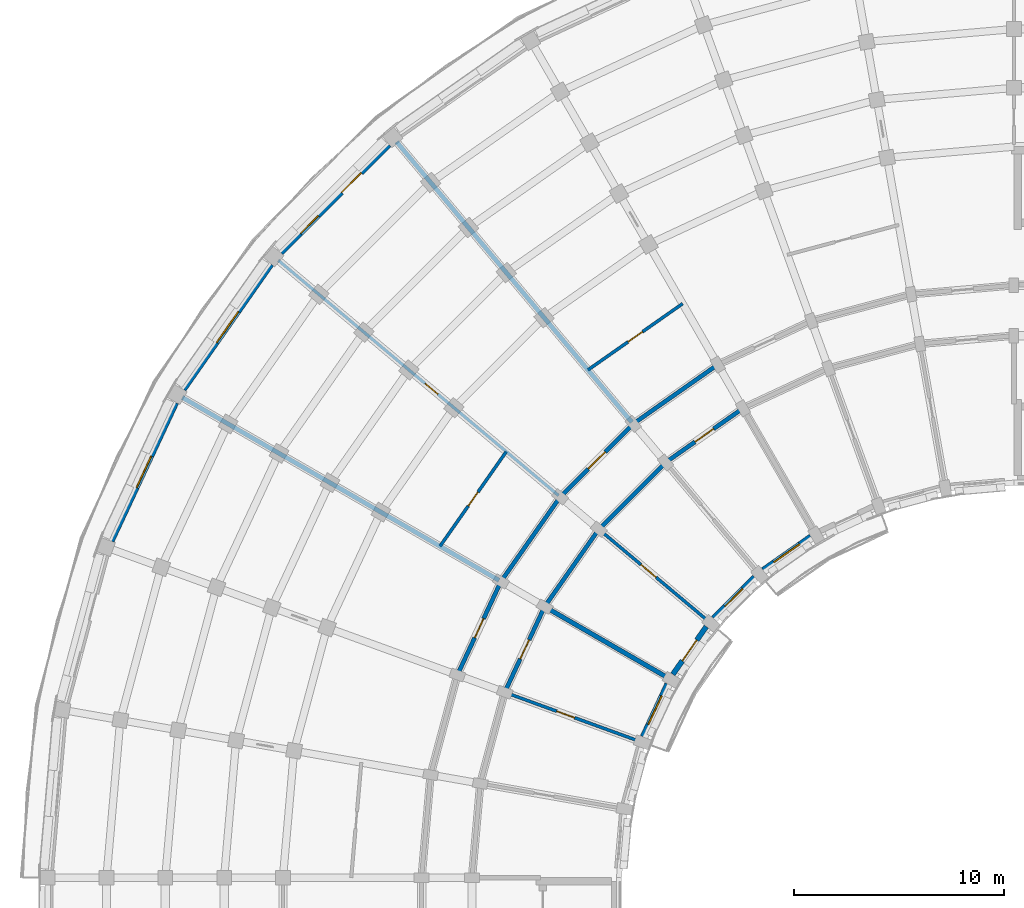
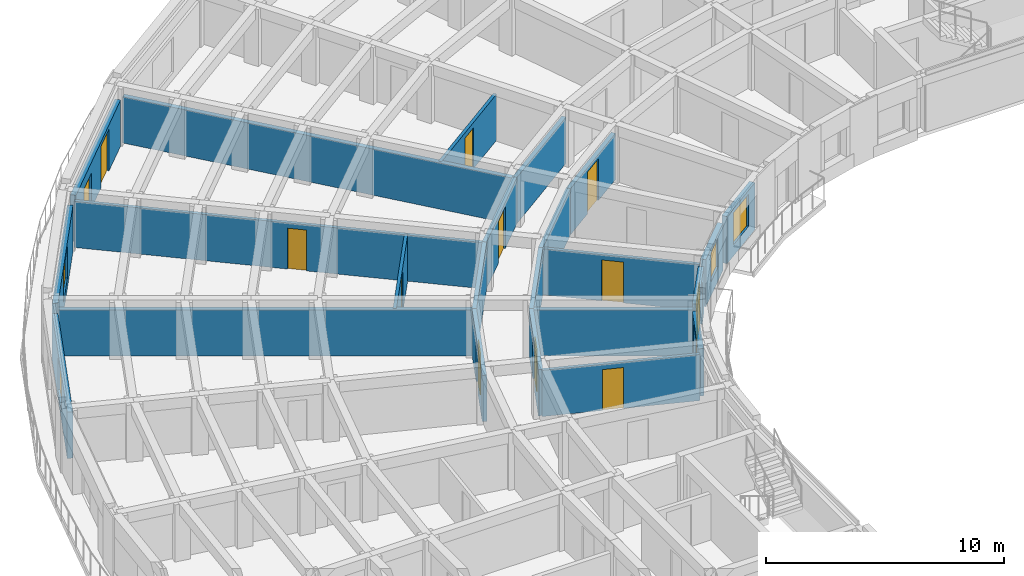
# One storey, part 26 of 57: 23 walls, 11 doors, 6 windows, 17 openings.
"""IFC4 building model written with IfcOpenShell, lengths in metres."""

from ifc_helpers import new_model, si_unit, direction, frame, frame_2d, origin, place, context, subcontext, project, spatial, rectangle, extrude, material, layer, layer_set, type_object, element, fill, save


model = new_model("IFC4")

# Units and contexts
model_context = context("Model", 3, precision=1e-05, world=origin(), true_north=direction((0.0, 1.0)))
body_context = subcontext(model_context, "Body", "Model", "MODEL_VIEW")
ifc_project = project(units=[si_unit("LENGTHUNIT", "METRE"), si_unit("AREAUNIT", "SQUARE_METRE"), si_unit("VOLUMEUNIT", "CUBIC_METRE"), si_unit("PLANEANGLEUNIT", "RADIAN"), si_unit("MASSUNIT", "GRAM", prefix="KILO")], contexts=[model_context])

# Site, building, storey
site_placement = place(None, origin())
site = spatial("IfcSite", under=ifc_project, at=site_placement, CompositionType="ELEMENT")
building_placement = place(site_placement, origin())
building = spatial("IfcBuilding", under=site, at=building_placement, Name="Kiranvali Square Residences", CompositionType="ELEMENT")
storey_placement = place(building_placement, frame((0.0, 0.0, 24.449951171875)))
storey = spatial("IfcBuildingStorey", under=building, at=storey_placement, Name="L07", CompositionType="ELEMENT", Elevation=24.449951171875)

# Wall, opening, door
ifc_material_1 = material(Name="Autoclaved aerated concrete blockwork masonry", Category="masonry")
ifc_layer_1 = layer(ifc_material_1, 0.199951171875)
ifc_layer_set_1 = layer_set([ifc_layer_1], Name="Autoclaved aerated concrete blockwork masonry")
wall_type_1 = type_object("IfcWallType", Name="WL-COR-200", PredefinedType="STANDARD", material=ifc_layer_set_1)
wall_1_placement = place(storey_placement, frame((35.300048828125, 110.1435546875, 0.0), z_axis=(0.0, 0.0, 1.0), x_axis=(-0.819155404658, -0.573571637217, 0.0)))
wall_1 = element("IfcWall", 1, at=wall_1_placement, inside=storey, type_object=wall_type_1, Name="L07 architectural wall WL-L07-A-CCI-3", PredefinedType="STANDARD", context=body_context, shape_type="SweptSolid", body=[
    extrude(rectangle(XDim=4.497314453125, YDim=0.199951171875, at=frame_2d((2.24853515625, 0.0))), origin(), (0.0, 0.0, 1.0), 2.3720703125),
])
opening_1_placement = place(wall_1_placement, frame((1.708740234375, 0.0, 0.0)))
opening_1 = element("IfcOpeningElement", 2, at=opening_1_placement, cuts=wall_1, Name="Opening FD-APT-60C", PredefinedType="OPENING", context=body_context, shape_type="SweptSolid", body=[
    extrude(rectangle(XDim=1.080078125, YDim=2.14990234375, at=frame_2d((0.5400390625, 1.074951171875))), frame((0.0, 0.10986328125, 0.0), z_axis=(0.0, -1.0, 0.0), x_axis=(1.0, 0.0, 0.0)), (0.0, 0.0, 1.0), 0.219970703125),
])
ifc_material_2 = material(Name="Fire-rated acoustic hardwood and mineral-core door assembly", Category="wood")
door_type_1 = type_object("IfcDoorType", Name="DR-APT-1080", OperationType="NOTDEFINED", PredefinedType="DOOR", material=ifc_material_2)
door_1_placement = place(opening_1_placement, origin())
door_1 = element("IfcDoor", 3, at=door_1_placement, inside=storey, type_object=door_type_1, Name="L07 door DR-L07-0499 (DR-APT-1080)", OperationType="SINGLE_SWING_LEFT", OverallHeight=2.14990234375, OverallWidth=1.080078125, PredefinedType="DOOR", context=body_context, shape_type="SweptSolid", body=[
    extrude(rectangle(XDim=1.080078125, YDim=2.14990234375, at=frame_2d((0.5400390625, 1.074951171875))), frame((0.0, 0.02490234375, 0.0), z_axis=(0.0, -1.0, 0.0), x_axis=(1.0, 0.0, 0.0)), (0.0, 0.0, 1.0), 0.050048828125),
])
fill(opening_1, door_1)

# Walls
wall_2_placement = place(storey_placement, frame((34.10009765625, 112.221923828125, 0.0), z_axis=(0.0, 0.0, 1.0), x_axis=(-0.819140911474, -0.573592335331, 0.0)))
element("IfcWall", 4, at=wall_2_placement, inside=storey, type_object=wall_type_1, Name="L07 architectural wall WL-L07-A-CCO-3", PredefinedType="STANDARD", context=body_context, shape_type="SweptSolid", body=[
    extrude(rectangle(XDim=4.915771484375, YDim=0.199951171875, at=frame_2d((2.4580078125, 0.0))), origin(), (0.0, 0.0, 1.0), 2.3720703125),
])
wall_3_placement = place(storey_placement, frame((31.615966796875, 107.56396484375, 0.0), z_axis=(0.0, 0.0, 1.0), x_axis=(-0.707106781187, -0.707106781187, 0.0)))
element("IfcWall", 5, at=wall_3_placement, inside=storey, type_object=wall_type_1, Name="L07 architectural wall WL-L07-A-CCI-4", PredefinedType="STANDARD", context=body_context, shape_type="SweptSolid", body=[
    extrude(rectangle(XDim=4.4970703125, YDim=0.199951171875, at=frame_2d((2.24853515625, 0.0))), origin(), (0.0, 0.0, 1.0), 2.3720703125),
])

# Wall, opening, door
wall_4_placement = place(storey_placement, frame((30.073486328125, 109.40234375, 0.0), z_axis=(0.0, 0.0, 1.0), x_axis=(-0.707106781187, -0.707106781187, 0.0)))
wall_4 = element("IfcWall", 6, at=wall_4_placement, inside=storey, type_object=wall_type_1, Name="L07 architectural wall WL-L07-A-CCO-4", PredefinedType="STANDARD", context=body_context, shape_type="SweptSolid", body=[
    extrude(rectangle(XDim=4.91552734375, YDim=0.199951171875, at=frame_2d((2.457763671875, 0.0))), origin(), (0.0, 0.0, 1.0), 2.3720703125),
])
opening_2_placement = place(wall_4_placement, frame((1.8876953125, 0.0, 0.0)))
opening_2 = element("IfcOpeningElement", 7, at=opening_2_placement, cuts=wall_4, Name="Opening FD-APT-60D", PredefinedType="OPENING", context=body_context, shape_type="SweptSolid", body=[
    extrude(rectangle(XDim=1.139892578125, YDim=2.14990234375, at=frame_2d((0.56982421875, 1.074951171875))), frame((0.0, 0.10986328125, 0.0), z_axis=(0.0, -1.0, 0.0), x_axis=(1.0, 0.0, 0.0)), (0.0, 0.0, 1.0), 0.219970703125),
])
door_type_2 = type_object("IfcDoorType", Name="DR-APT-1140", OperationType="NOTDEFINED", PredefinedType="DOOR", material=ifc_material_2)
door_2_placement = place(opening_2_placement, frame((1.139892578125, 0.0, 0.0), z_axis=(0.0, 0.0, 1.0), x_axis=(-1.0, 0.0, 0.0)))
door_2 = element("IfcDoor", 8, at=door_2_placement, inside=storey, type_object=door_type_2, Name="L07 door DR-L07-0494 (DR-APT-1140)", OperationType="SINGLE_SWING_RIGHT", OverallHeight=2.14990234375, OverallWidth=1.139892578125, PredefinedType="DOOR", context=body_context, shape_type="SweptSolid", body=[
    extrude(rectangle(XDim=1.139892578125, YDim=2.14990234375, at=frame_2d((0.56982421875, 1.074951171875))), frame((0.0, 0.02490234375, 0.0), z_axis=(0.0, -1.0, 0.0), x_axis=(1.0, 0.0, 0.0)), (0.0, 0.0, 1.0), 0.050048828125),
])
fill(opening_2, door_2)

# Walls
wall_5_placement = place(storey_placement, frame((28.43603515625, 104.384033203125, 0.0), z_axis=(0.0, 0.0, 1.0), x_axis=(-0.573571637217, -0.819155404658, 0.0)))
element("IfcWall", 9, at=wall_5_placement, inside=storey, type_object=wall_type_1, Name="L07 architectural wall WL-L07-A-CCI-5", PredefinedType="STANDARD", context=body_context, shape_type="SweptSolid", body=[
    extrude(rectangle(XDim=4.497314453125, YDim=0.199951171875, at=frame_2d((2.24853515625, 0.0))), origin(), (0.0, 0.0, 1.0), 2.3720703125),
])
wall_6_placement = place(storey_placement, frame((26.59765625, 105.926513671875, 0.0), z_axis=(0.0, 0.0, 1.0), x_axis=(-0.573592335331, -0.819140911474, 0.0)))
element("IfcWall", 10, at=wall_6_placement, inside=storey, type_object=wall_type_1, Name="L07 architectural wall WL-L07-A-CCO-5", PredefinedType="STANDARD", context=body_context, shape_type="SweptSolid", body=[
    extrude(rectangle(XDim=4.915771484375, YDim=0.199951171875, at=frame_2d((2.4580078125, 0.0))), origin(), (0.0, 0.0, 1.0), 2.3720703125),
])

# Wall, opening, door
wall_7_placement = place(storey_placement, frame((25.8564453125, 100.699951171875, 0.0), z_axis=(0.0, 0.0, 1.0), x_axis=(-0.422617978463, -0.906307919131, 0.0)))
wall_7 = element("IfcWall", 11, at=wall_7_placement, inside=storey, type_object=wall_type_1, Name="L07 architectural wall WL-L07-A-CCI-6", PredefinedType="STANDARD", context=body_context, shape_type="SweptSolid", body=[
    extrude(rectangle(XDim=4.497314453125, YDim=0.199951171875, at=frame_2d((2.24853515625, 0.0))), origin(), (0.0, 0.0, 1.0), 2.3720703125),
])
opening_3_placement = place(wall_7_placement, frame((1.74853515625, 0.0, 0.0)))
opening_3 = element("IfcOpeningElement", 12, at=opening_3_placement, cuts=wall_7, Name="Opening FD-APT-60", PredefinedType="OPENING", context=body_context, shape_type="SweptSolid", body=[
    extrude(rectangle(XDim=1.0, YDim=2.14990234375, at=frame_2d((0.5, 1.074951171875))), frame((0.0, 0.10986328125, 0.0), z_axis=(0.0, -1.0, 0.0), x_axis=(1.0, 0.0, 0.0)), (0.0, 0.0, 1.0), 0.219970703125),
])
door_type_3 = type_object("IfcDoorType", Name="DR-APT-1000", OperationType="NOTDEFINED", PredefinedType="DOOR", material=ifc_material_2)
door_3_placement = place(opening_3_placement, frame((1.0, 0.0, 0.0), z_axis=(0.0, 0.0, 1.0), x_axis=(-1.0, 0.0, 0.0)))
door_3 = element("IfcDoor", 13, at=door_3_placement, inside=storey, type_object=door_type_3, Name="L07 door DR-L07-0500 (DR-APT-1000)", OperationType="SINGLE_SWING_RIGHT", OverallHeight=2.14990234375, OverallWidth=1.0, PredefinedType="DOOR", context=body_context, shape_type="SweptSolid", body=[
    extrude(rectangle(XDim=1.0, YDim=2.14990234375, at=frame_2d((0.5, 1.074951171875))), frame((0.0, 0.02490234375, 0.0), z_axis=(0.0, -1.0, 0.0), x_axis=(1.0, 0.0, 0.0)), (0.0, 0.0, 1.0), 0.050048828125),
])
fill(opening_3, door_3)

wall_8_placement = place(storey_placement, frame((23.778076171875, 101.89990234375, 0.0), z_axis=(0.0, 0.0, 1.0), x_axis=(-0.422629854778, -0.906302381024, 0.0)))
wall_8 = element("IfcWall", 14, at=wall_8_placement, inside=storey, type_object=wall_type_1, Name="L07 architectural wall WL-L07-A-CCO-6", PredefinedType="STANDARD", context=body_context, shape_type="SweptSolid", body=[
    extrude(rectangle(XDim=4.915283203125, YDim=0.199951171875, at=frame_2d((2.45751953125, 0.0))), origin(), (0.0, 0.0, 1.0), 2.3720703125),
])
opening_4_placement = place(wall_8_placement, frame((1.957763671875, 0.0, 0.0)))
opening_4 = element("IfcOpeningElement", 15, at=opening_4_placement, cuts=wall_8, Name="Opening FD-APT-60", PredefinedType="OPENING", context=body_context, shape_type="SweptSolid", body=[
    extrude(rectangle(XDim=1.0, YDim=2.14990234375, at=frame_2d((0.5, 1.074951171875))), frame((0.0, 0.10986328125, 0.0), z_axis=(0.0, -1.0, 0.0), x_axis=(1.0, 0.0, 0.0)), (0.0, 0.0, 1.0), 0.219970703125),
])
door_4_placement = place(opening_4_placement, frame((1.0, 0.0, 0.0), z_axis=(0.0, 0.0, 1.0), x_axis=(-1.0, 0.0, 0.0)))
door_4 = element("IfcDoor", 16, at=door_4_placement, inside=storey, type_object=door_type_3, Name="L07 door DR-L07-0496 (DR-APT-1000)", OperationType="SINGLE_SWING_RIGHT", OverallHeight=2.14990234375, OverallWidth=1.0, PredefinedType="DOOR", context=body_context, shape_type="SweptSolid", body=[
    extrude(rectangle(XDim=1.0, YDim=2.14990234375, at=frame_2d((0.5, 1.074951171875))), frame((0.0, 0.02490234375, 0.0), z_axis=(0.0, -1.0, 0.0), x_axis=(1.0, 0.0, 0.0)), (0.0, 0.0, 1.0), 0.050048828125),
])
fill(opening_4, door_4)

# Walls
ifc_layer_2 = layer(ifc_material_1, 0.219970703125)
ifc_layer_set_2 = layer_set([ifc_layer_2], Name="Autoclaved aerated concrete blockwork masonry")
wall_type_2 = type_object("IfcWallType", Name="WL-DEM-220", PredefinedType="STANDARD", material=ifc_layer_set_2)
wall_9_placement = place(storey_placement, frame((30.009033203125, 109.47900390625, 0.0), z_axis=(0.0, 0.0, 1.0), x_axis=(-0.642784757967, 0.766046835987, 0.0)))
element("IfcWall", 17, at=wall_9_placement, inside=storey, type_object=wall_type_2, Name="L07 architectural wall WL-L07-A-RADO-4", PredefinedType="STANDARD", context=body_context, shape_type="SweptSolid", body=[
    extrude(rectangle(XDim=17.419921875, YDim=0.219970703125, at=frame_2d((8.7099609375, 0.0))), origin(), (0.0, 0.0, 1.0), 2.3720703125),
])
wall_10_placement = place(storey_placement, frame((31.74560546875, 97.300048828125, 0.0), z_axis=(0.0, 0.0, 1.0), x_axis=(-0.866026575979, 0.499997969693, 0.0)))
element("IfcWall", 18, at=wall_10_placement, inside=storey, type_object=wall_type_2, Name="L07 architectural wall WL-L07-A-RADI-6", PredefinedType="STANDARD", context=body_context, shape_type="SweptSolid", body=[
    extrude(rectangle(XDim=6.75, YDim=0.219970703125, at=frame_2d((3.375, 0.0))), origin(), (0.0, 0.0, 1.0), 2.3720703125),
])
wall_11_placement = place(storey_placement, frame((23.69140625, 101.949951171875, 0.0), z_axis=(0.0, 0.0, 1.0), x_axis=(-0.866026648973, 0.499997843263, 0.0)))
element("IfcWall", 19, at=wall_11_placement, inside=storey, type_object=wall_type_2, Name="L07 architectural wall WL-L07-A-RADO-6", PredefinedType="STANDARD", context=body_context, shape_type="SweptSolid", body=[
    extrude(rectangle(XDim=17.419921875, YDim=0.219970703125, at=frame_2d((8.7099609375, 0.0))), origin(), (0.0, 0.0, 1.0), 2.3720703125),
])

# Wall, openings, door, window
ifc_material_3 = material(Name="Breathable lime-rendered clay brick masonry", Category="masonry")
ifc_layer_3 = layer(ifc_material_3, 0.25)
ifc_layer_set_3 = layer_set([ifc_layer_3], Name="Breathable lime-rendered clay brick masonry")
wall_type_3 = type_object("IfcWallType", Name="WL-EXT-250", PredefinedType="STANDARD", material=ifc_layer_set_3)
wall_12_placement = place(storey_placement, frame((18.454345703125, 122.683837890625, 0.0), z_axis=(0.0, 0.0, 1.0), x_axis=(-0.707106781187, -0.707106781187, 0.0)))
wall_12 = element("IfcWall", 20, at=wall_12_placement, inside=storey, type_object=wall_type_3, Name="L07 exterior wall A-L07-CRV-04", PredefinedType="STANDARD", context=body_context, shape_type="SweptSolid", body=[
    extrude(rectangle(XDim=7.2666015625, YDim=0.25, at=frame_2d((3.63330078125, 0.0))), origin(), (0.0, 0.0, 1.0), 2.3720703125),
])
opening_5_placement = place(wall_12_placement, frame((4.765625, 0.0, 0.322021484375)))
opening_5 = element("IfcOpeningElement", 21, at=opening_5_placement, cuts=wall_12, Name="Opening W-06", PredefinedType="OPENING", context=body_context, shape_type="SweptSolid", body=[
    extrude(rectangle(XDim=1.199951171875, YDim=1.5, at=frame_2d((0.60009765625, 0.75))), frame((0.0, 0.135009765625, 0.0), z_axis=(0.0, -1.0, 0.0), x_axis=(1.0, 0.0, 0.0)), (0.0, 0.0, 1.0), 0.27001953125),
])
opening_6_placement = place(wall_12_placement, frame((1.88330078125, 0.0, 0.0)))
opening_6 = element("IfcOpeningElement", 22, at=opening_6_placement, cuts=wall_12, Name="Opening ED-BAL-3", PredefinedType="OPENING", context=body_context, shape_type="SweptSolid", body=[
    extrude(rectangle(XDim=1.320068359375, YDim=2.14990234375, at=frame_2d((0.66015625, 1.074951171875))), frame((0.0, 0.135009765625, 0.0), z_axis=(0.0, -1.0, 0.0), x_axis=(1.0, 0.0, 0.0)), (0.0, 0.0, 1.0), 0.27001953125),
])
ifc_material_4 = material(Name="Anodised bronze aluminium framing", Category="aluminium")
door_type_4 = type_object("IfcDoorType", Name="DR-BAL-1320", OperationType="NOTDEFINED", PredefinedType="DOOR", material=ifc_material_4)
door_5_placement = place(opening_6_placement, frame((1.320068359375, 0.0, 0.0), z_axis=(0.0, 0.0, 1.0), x_axis=(-1.0, 0.0, 0.0)))
door_5 = element("IfcDoor", 23, at=door_5_placement, inside=storey, type_object=door_type_4, Name="L07 balcony terrace door", OperationType="SINGLE_SWING_LEFT", OverallHeight=2.14990234375, OverallWidth=1.320068359375, PredefinedType="DOOR", context=body_context, shape_type="SweptSolid", body=[
    extrude(rectangle(XDim=1.320068359375, YDim=2.14990234375, at=frame_2d((0.66015625, 1.074951171875))), frame((0.0, 0.02490234375, 0.0), z_axis=(0.0, -1.0, 0.0), x_axis=(1.0, 0.0, 0.0)), (0.0, 0.0, 1.0), 0.050048828125),
])
fill(opening_6, door_5)
ifc_material_5 = material(Name="Solar-control low-e double glazing", Category="glass")
window_type_1 = type_object("IfcWindowType", Name="WIN-RES-1200x1500", PartitioningType="SINGLE_PANEL", PredefinedType="WINDOW", material=ifc_material_5)
window_1_placement = place(opening_5_placement, origin())
window_1 = element("IfcWindow", 24, at=window_1_placement, inside=storey, type_object=window_type_1, Name="L07 recessed window A-L07-CRV-04", OverallHeight=1.5, OverallWidth=1.199951171875, PartitioningType="SINGLE_PANEL", PredefinedType="WINDOW", context=body_context, shape_type="SweptSolid", body=[
    extrude(rectangle(XDim=1.199951171875, YDim=1.5, at=frame_2d((0.60009765625, 0.75))), frame((0.0, 0.030029296875, 0.0), z_axis=(0.0, -1.0, 0.0), x_axis=(1.0, 0.0, 0.0)), (0.0, 0.0, 1.0), 0.06005859375),
])
fill(opening_5, window_1)

# Wall, opening, window
wall_13_placement = place(storey_placement, frame((12.848876953125, 116.98876953125, 0.0), z_axis=(0.0, 0.0, 1.0), x_axis=(-0.573566061701, -0.819159308599, 0.0)))
wall_13 = element("IfcWall", 25, at=wall_13_placement, inside=storey, type_object=wall_type_3, Name="L07 exterior wall A-L07-CRV-05", PredefinedType="STANDARD", context=body_context, shape_type="SweptSolid", body=[
    extrude(rectangle(XDim=7.266845703125, YDim=0.25, at=frame_2d((3.63330078125, 0.0))), origin(), (0.0, 0.0, 1.0), 2.3720703125),
])
opening_7_placement = place(wall_13_placement, frame((2.7333984375, 0.0, 0.52197265625)))
opening_7 = element("IfcOpeningElement", 26, at=opening_7_placement, cuts=wall_13, Name="Opening W-04", PredefinedType="OPENING", context=body_context, shape_type="SweptSolid", body=[
    extrude(rectangle(XDim=1.800048828125, YDim=1.64990234375, at=frame_2d((0.89990234375, 0.824951171875))), frame((0.0, 0.135009765625, 0.0), z_axis=(0.0, -1.0, 0.0), x_axis=(1.0, 0.0, 0.0)), (0.0, 0.0, 1.0), 0.27001953125),
])
window_type_2 = type_object("IfcWindowType", Name="WIN-RES-1800x1650", PartitioningType="DOUBLE_PANEL_VERTICAL", PredefinedType="WINDOW", material=ifc_material_5)
window_2_placement = place(opening_7_placement, origin())
window_2 = element("IfcWindow", 27, at=window_2_placement, inside=storey, type_object=window_type_2, Name="L07 recessed window A-L07-CRV-05", OverallHeight=1.64990234375, OverallWidth=1.800048828125, PartitioningType="DOUBLE_PANEL_VERTICAL", PredefinedType="WINDOW", context=body_context, shape_type="SweptSolid", body=[
    extrude(rectangle(XDim=1.800048828125, YDim=1.64990234375, at=frame_2d((0.89990234375, 0.824951171875))), frame((0.0, 0.030029296875, 0.0), z_axis=(0.0, -1.0, 0.0), x_axis=(1.0, 0.0, 0.0)), (0.0, 0.0, 1.0), 0.06005859375),
])
fill(opening_7, window_2)

wall_14_placement = place(storey_placement, frame((8.3173828125, 110.406494140625, 0.0), z_axis=(0.0, 0.0, 1.0), x_axis=(-0.422627946127, -0.90630327107, 0.0)))
wall_14 = element("IfcWall", 28, at=wall_14_placement, inside=storey, type_object=wall_type_3, Name="L07 exterior wall A-L07-CRV-06", PredefinedType="STANDARD", context=body_context, shape_type="SweptSolid", body=[
    extrude(rectangle(XDim=7.2666015625, YDim=0.25, at=frame_2d((3.63330078125, 0.0))), origin(), (0.0, 0.0, 1.0), 2.3720703125),
])
opening_8_placement = place(wall_14_placement, frame((2.808349609375, 0.0, 0.422119140625)))
opening_8 = element("IfcOpeningElement", 29, at=opening_8_placement, cuts=wall_14, Name="Opening W-13", PredefinedType="OPENING", context=body_context, shape_type="SweptSolid", body=[
    extrude(rectangle(XDim=1.64990234375, YDim=1.75, at=frame_2d((0.824951171875, 0.875))), frame((0.0, 0.135009765625, 0.0), z_axis=(0.0, -1.0, 0.0), x_axis=(1.0, 0.0, 0.0)), (0.0, 0.0, 1.0), 0.27001953125),
])
window_type_3 = type_object("IfcWindowType", Name="WIN-RES-1650x1750", PartitioningType="DOUBLE_PANEL_VERTICAL", PredefinedType="WINDOW", material=ifc_material_5)
window_3_placement = place(opening_8_placement, origin())
window_3 = element("IfcWindow", 30, at=window_3_placement, inside=storey, type_object=window_type_3, Name="L07 recessed window A-L07-CRV-06", OverallHeight=1.75, OverallWidth=1.64990234375, PartitioningType="DOUBLE_PANEL_VERTICAL", PredefinedType="WINDOW", context=body_context, shape_type="SweptSolid", body=[
    extrude(rectangle(XDim=1.64990234375, YDim=1.75, at=frame_2d((0.824951171875, 0.875))), frame((0.0, 0.030029296875, 0.0), z_axis=(0.0, -1.0, 0.0), x_axis=(1.0, 0.0, 0.0)), (0.0, 0.0, 1.0), 0.06005859375),
])
fill(opening_8, window_3)

wall_15_placement = place(storey_placement, frame((38.5205078125, 104.038330078125, 0.0), z_axis=(0.0, 0.0, 1.0), x_axis=(-0.819111815273, -0.573633885053, 0.0)))
wall_15 = element("IfcWall", 31, at=wall_15_placement, inside=storey, type_object=wall_type_3, Name="L07 exterior wall A-L07-GDN-03", PredefinedType="STANDARD", context=body_context, shape_type="SweptSolid", body=[
    extrude(rectangle(XDim=2.769775390625, YDim=0.25, at=frame_2d((1.384765625, 0.0))), origin(), (0.0, 0.0, 1.0), 2.422119140625),
])
opening_9_placement = place(wall_15_placement, frame((0.635009765625, 0.0, 0.572021484375)))
opening_9 = element("IfcOpeningElement", 32, at=opening_9_placement, cuts=wall_15, Name="Opening W-05", PredefinedType="OPENING", context=body_context, shape_type="SweptSolid", body=[
    extrude(rectangle(XDim=1.5, YDim=1.64990234375, at=frame_2d((0.75, 0.824951171875))), frame((0.0, 0.135009765625, 0.0), z_axis=(0.0, -1.0, 0.0), x_axis=(1.0, 0.0, 0.0)), (0.0, 0.0, 1.0), 0.27001953125),
])
window_type_4 = type_object("IfcWindowType", Name="WIN-RES-1500x1650", PartitioningType="DOUBLE_PANEL_VERTICAL", PredefinedType="WINDOW", material=ifc_material_5)
window_4_placement = place(opening_9_placement, origin())
window_4 = element("IfcWindow", 33, at=window_4_placement, inside=storey, type_object=window_type_4, Name="L07 recessed window A-L07-GDN-03", OverallHeight=1.64990234375, OverallWidth=1.5, PartitioningType="DOUBLE_PANEL_VERTICAL", PredefinedType="WINDOW", context=body_context, shape_type="SweptSolid", body=[
    extrude(rectangle(XDim=1.5, YDim=1.64990234375, at=frame_2d((0.75, 0.824951171875))), frame((0.0, 0.030029296875, 0.0), z_axis=(0.0, -1.0, 0.0), x_axis=(1.0, 0.0, 0.0)), (0.0, 0.0, 1.0), 0.06005859375),
])
fill(opening_9, window_4)

wall_16_placement = place(storey_placement, frame((35.847900390625, 102.11083984375, 0.0), z_axis=(0.0, 0.0, 1.0), x_axis=(-0.707106781187, -0.707106781187, 0.0)))
wall_16 = element("IfcWall", 34, at=wall_16_placement, inside=storey, type_object=wall_type_3, Name="L07 exterior wall A-L07-GDN-04", PredefinedType="STANDARD", context=body_context, shape_type="SweptSolid", body=[
    extrude(rectangle(XDim=2.77001953125, YDim=0.25, at=frame_2d((1.385009765625, 0.0))), origin(), (0.0, 0.0, 1.0), 2.422119140625),
])
opening_10_placement = place(wall_16_placement, frame((0.784912109375, 0.0, 0.721923828125)))
opening_10 = element("IfcOpeningElement", 35, at=opening_10_placement, cuts=wall_16, Name="Opening W-06", PredefinedType="OPENING", context=body_context, shape_type="SweptSolid", body=[
    extrude(rectangle(XDim=1.199951171875, YDim=1.5, at=frame_2d((0.60009765625, 0.75))), frame((0.0, 0.135009765625, 0.0), z_axis=(0.0, -1.0, 0.0), x_axis=(1.0, 0.0, 0.0)), (0.0, 0.0, 1.0), 0.27001953125),
])
window_5_placement = place(opening_10_placement, origin())
window_5 = element("IfcWindow", 36, at=window_5_placement, inside=storey, type_object=window_type_1, Name="L07 recessed window A-L07-GDN-04", OverallHeight=1.5, OverallWidth=1.199951171875, PartitioningType="SINGLE_PANEL", PredefinedType="WINDOW", context=body_context, shape_type="SweptSolid", body=[
    extrude(rectangle(XDim=1.199951171875, YDim=1.5, at=frame_2d((0.60009765625, 0.75))), frame((0.0, 0.030029296875, 0.0), z_axis=(0.0, -1.0, 0.0), x_axis=(1.0, 0.0, 0.0)), (0.0, 0.0, 1.0), 0.06005859375),
])
fill(opening_10, window_5)

# Wall, opening, door
wall_17_placement = place(storey_placement, frame((33.550537109375, 99.748291015625, 0.0), z_axis=(0.0, 0.0, 1.0), x_axis=(-0.573633885053, -0.819111815273, 0.0)))
wall_17 = element("IfcWall", 37, at=wall_17_placement, inside=storey, type_object=wall_type_3, Name="L07 exterior wall A-L07-GDN-05", PredefinedType="STANDARD", context=body_context, shape_type="SweptSolid", body=[
    extrude(rectangle(XDim=2.769775390625, YDim=0.25, at=frame_2d((1.384765625, 0.0))), origin(), (0.0, 0.0, 1.0), 2.422119140625),
])
opening_11_placement = place(wall_17_placement, frame((0.784912109375, 0.0, 0.0)))
opening_11 = element("IfcOpeningElement", 38, at=opening_11_placement, cuts=wall_17, Name="Opening ED-BAL-1", PredefinedType="OPENING", context=body_context, shape_type="SweptSolid", body=[
    extrude(rectangle(XDim=1.199951171875, YDim=2.14990234375, at=frame_2d((0.60009765625, 1.074951171875))), frame((0.0, 0.135009765625, 0.0), z_axis=(0.0, -1.0, 0.0), x_axis=(1.0, 0.0, 0.0)), (0.0, 0.0, 1.0), 0.27001953125),
])
door_type_5 = type_object("IfcDoorType", Name="DR-BAL-1200", OperationType="NOTDEFINED", PredefinedType="DOOR", material=ifc_material_4)
door_6_placement = place(opening_11_placement, origin())
door_6 = element("IfcDoor", 39, at=door_6_placement, inside=storey, type_object=door_type_5, Name="L07 balcony terrace door", OperationType="SINGLE_SWING_RIGHT", OverallHeight=2.14990234375, OverallWidth=1.199951171875, PredefinedType="DOOR", context=body_context, shape_type="SweptSolid", body=[
    extrude(rectangle(XDim=1.199951171875, YDim=2.14990234375, at=frame_2d((0.60009765625, 1.074951171875))), frame((0.0, 0.02490234375, 0.0), z_axis=(0.0, -1.0, 0.0), x_axis=(1.0, 0.0, 0.0)), (0.0, 0.0, 1.0), 0.050048828125),
])
fill(opening_11, door_6)

# Wall, opening, window
wall_18_placement = place(storey_placement, frame((31.6982421875, 97.02294921875, 0.0), z_axis=(0.0, 0.0, 1.0), x_axis=(-0.422649007088, -0.906293449611, 0.0)))
wall_18 = element("IfcWall", 40, at=wall_18_placement, inside=storey, type_object=wall_type_3, Name="L07 exterior wall A-L07-GDN-06", PredefinedType="STANDARD", context=body_context, shape_type="SweptSolid", body=[
    extrude(rectangle(XDim=2.769775390625, YDim=0.25, at=frame_2d((1.384765625, 0.0))), origin(), (0.0, 0.0, 1.0), 2.422119140625),
])
opening_12_placement = place(wall_18_placement, frame((0.635009765625, 0.0, 0.572021484375)))
opening_12 = element("IfcOpeningElement", 41, at=opening_12_placement, cuts=wall_18, Name="Opening W-05", PredefinedType="OPENING", context=body_context, shape_type="SweptSolid", body=[
    extrude(rectangle(XDim=1.5, YDim=1.64990234375, at=frame_2d((0.75, 0.824951171875))), frame((0.0, 0.135009765625, 0.0), z_axis=(0.0, -1.0, 0.0), x_axis=(1.0, 0.0, 0.0)), (0.0, 0.0, 1.0), 0.27001953125),
])
window_6_placement = place(opening_12_placement, origin())
window_6 = element("IfcWindow", 42, at=window_6_placement, inside=storey, type_object=window_type_4, Name="L07 recessed window A-L07-GDN-06", OverallHeight=1.64990234375, OverallWidth=1.5, PartitioningType="DOUBLE_PANEL_VERTICAL", PredefinedType="WINDOW", context=body_context, shape_type="SweptSolid", body=[
    extrude(rectangle(XDim=1.5, YDim=1.64990234375, at=frame_2d((0.75, 0.824951171875))), frame((0.0, 0.030029296875, 0.0), z_axis=(0.0, -1.0, 0.0), x_axis=(1.0, 0.0, 0.0)), (0.0, 0.0, 1.0), 0.06005859375),
])
fill(opening_12, window_6)

# Wall, opening, door
ifc_material_6 = material(Name="Acoustic gypsum board drylined partition", Category="gypsum")
ifc_layer_4 = layer(ifc_material_6, 0.14990234375)
ifc_layer_set_4 = layer_set([ifc_layer_4], Name="Acoustic gypsum board drylined partition")
wall_type_4 = type_object("IfcWallType", Name="WL-PRT-150", PredefinedType="PARTITIONING", material=ifc_layer_set_4)
wall_19_placement = place(storey_placement, frame((33.645263671875, 100.012939453125, 0.0), z_axis=(0.0, 0.0, 1.0), x_axis=(-0.766046761698, 0.642784846501, 0.0)))
wall_19 = element("IfcWall", 43, at=wall_19_placement, inside=storey, type_object=wall_type_4, Name="L07 architectural wall WL-L07-A-RADI-5", PredefinedType="PARTITIONING", context=body_context, shape_type="SweptSolid", body=[
    extrude(rectangle(XDim=6.75, YDim=0.14990234375, at=frame_2d((3.375, 0.0))), origin(), (0.0, 0.0, 1.0), 2.3720703125),
])
opening_13_placement = place(wall_19_placement, frame((3.242431640625, 0.0, 0.0)))
opening_13 = element("IfcOpeningElement", 44, at=opening_13_placement, cuts=wall_19, Name="Opening ID-2", PredefinedType="OPENING", context=body_context, shape_type="SweptSolid", body=[
    extrude(rectangle(XDim=0.93994140625, YDim=2.10009765625, at=frame_2d((0.469970703125, 1.050048828125))), frame((0.0, 0.0849609375, 0.0), z_axis=(0.0, -1.0, 0.0), x_axis=(1.0, 0.0, 0.0)), (0.0, 0.0, 1.0), 0.169921875),
])
ifc_material_7 = material(Name="Solid seasoned teak hardwood joinery", Category="wood")
door_type_6 = type_object("IfcDoorType", Name="DR-INT-940", OperationType="NOTDEFINED", PredefinedType="DOOR", material=ifc_material_7)
door_7_placement = place(opening_13_placement, frame((0.93994140625, 0.0, 0.0), z_axis=(0.0, 0.0, 1.0), x_axis=(-1.0, 0.0, 0.0)))
door_7 = element("IfcDoor", 45, at=door_7_placement, inside=storey, type_object=door_type_6, Name="L07 door DR-L07-0484 (DR-INT-940)", OperationType="SINGLE_SWING_RIGHT", OverallHeight=2.10009765625, OverallWidth=0.93994140625, PredefinedType="DOOR", context=body_context, shape_type="SweptSolid", body=[
    extrude(rectangle(XDim=0.93994140625, YDim=2.10009765625, at=frame_2d((0.469970703125, 1.050048828125))), frame((0.0, 0.02490234375, 0.0), z_axis=(0.0, -1.0, 0.0), x_axis=(1.0, 0.0, 0.0)), (0.0, 0.0, 1.0), 0.050048828125),
])
fill(opening_13, door_7)

wall_20_placement = place(storey_placement, frame((26.52099609375, 105.990966796875, 0.0), z_axis=(0.0, 0.0, 1.0), x_axis=(-0.766046835987, 0.642784757967, 0.0)))
wall_20 = element("IfcWall", 46, at=wall_20_placement, inside=storey, type_object=wall_type_4, Name="L07 architectural wall WL-L07-A-RADO-5", PredefinedType="PARTITIONING", context=body_context, shape_type="SweptSolid", body=[
    extrude(rectangle(XDim=17.419921875, YDim=0.14990234375, at=frame_2d((8.7099609375, 0.0))), origin(), (0.0, 0.0, 1.0), 2.3720703125),
])
opening_14_placement = place(wall_20_placement, frame((7.5, 0.0, 0.0)))
opening_14 = element("IfcOpeningElement", 47, at=opening_14_placement, cuts=wall_20, Name="Opening ID-WET", PredefinedType="OPENING", context=body_context, shape_type="SweptSolid", body=[
    extrude(rectangle(XDim=0.800048828125, YDim=2.10009765625, at=frame_2d((0.39990234375, 1.050048828125))), frame((0.0, 0.0849609375, 0.0), z_axis=(0.0, -1.0, 0.0), x_axis=(1.0, 0.0, 0.0)), (0.0, 0.0, 1.0), 0.169921875),
])
door_type_7 = type_object("IfcDoorType", Name="DR-WET-800", OperationType="NOTDEFINED", PredefinedType="DOOR", material=ifc_material_7)
door_8_placement = place(opening_14_placement, origin())
door_8 = element("IfcDoor", 48, at=door_8_placement, inside=storey, type_object=door_type_7, Name="L07 door DR-L07-0485 (DR-WET-800)", OperationType="SINGLE_SWING_LEFT", OverallHeight=2.10009765625, OverallWidth=0.800048828125, PredefinedType="DOOR", context=body_context, shape_type="SweptSolid", body=[
    extrude(rectangle(XDim=0.800048828125, YDim=2.10009765625, at=frame_2d((0.39990234375, 1.050048828125))), frame((0.0, 0.02490234375, 0.0), z_axis=(0.0, -1.0, 0.0), x_axis=(1.0, 0.0, 0.0)), (0.0, 0.0, 1.0), 0.050048828125),
])
fill(opening_14, door_8)

wall_21_placement = place(storey_placement, frame((30.345947265625, 94.29833984375, 0.0), z_axis=(0.0, 0.0, 1.0), x_axis=(-0.939696231917, 0.342010221662, 0.0)))
wall_21 = element("IfcWall", 49, at=wall_21_placement, inside=storey, type_object=wall_type_4, Name="L07 architectural wall WL-L07-A-RADI-7", PredefinedType="PARTITIONING", context=body_context, shape_type="SweptSolid", body=[
    extrude(rectangle(XDim=6.75, YDim=0.14990234375, at=frame_2d((3.375, 0.0))), origin(), (0.0, 0.0, 1.0), 2.3720703125),
])
opening_15_placement = place(wall_21_placement, frame((3.262451171875, 0.0, 0.0)))
opening_15 = element("IfcOpeningElement", 50, at=opening_15_placement, cuts=wall_21, Name="Opening ID-1", PredefinedType="OPENING", context=body_context, shape_type="SweptSolid", body=[
    extrude(rectangle(XDim=0.89990234375, YDim=2.10009765625, at=frame_2d((0.449951171875, 1.050048828125))), frame((0.0, 0.0849609375, 0.0), z_axis=(0.0, -1.0, 0.0), x_axis=(1.0, 0.0, 0.0)), (0.0, 0.0, 1.0), 0.169921875),
])
door_type_8 = type_object("IfcDoorType", Name="DR-INT-900", OperationType="NOTDEFINED", PredefinedType="DOOR", material=ifc_material_7)
door_9_placement = place(opening_15_placement, frame((0.89990234375, 0.0, 0.0), z_axis=(0.0, 0.0, 1.0), x_axis=(-1.0, 0.0, 0.0)))
door_9 = element("IfcDoor", 51, at=door_9_placement, inside=storey, type_object=door_type_8, Name="L07 door DR-L07-0486 (DR-INT-900)", OperationType="SINGLE_SWING_RIGHT", OverallHeight=2.10009765625, OverallWidth=0.89990234375, PredefinedType="DOOR", context=body_context, shape_type="SweptSolid", body=[
    extrude(rectangle(XDim=0.89990234375, YDim=2.10009765625, at=frame_2d((0.449951171875, 1.050048828125))), frame((0.0, 0.02490234375, 0.0), z_axis=(0.0, -1.0, 0.0), x_axis=(1.0, 0.0, 0.0)), (0.0, 0.0, 1.0), 0.050048828125),
])
fill(opening_15, door_9)

ifc_layer_5 = layer(ifc_material_1, 0.14990234375)
ifc_layer_set_5 = layer_set([ifc_layer_5], Name="Autoclaved aerated concrete blockwork masonry")
wall_type_5 = type_object("IfcWallType", Name="WL-WET-150", PredefinedType="PLUMBINGWALL", material=ifc_layer_set_5)
wall_22_placement = place(storey_placement, frame((32.425048828125, 115.123046875, 0.0), z_axis=(0.0, 0.0, 1.0), x_axis=(-0.819156831143, -0.573569599955, 0.0)))
wall_22 = element("IfcWall", 52, at=wall_22_placement, inside=storey, type_object=wall_type_5, Name="L07 architectural wall WL-L07-A-CWET-3", PredefinedType="PLUMBINGWALL", context=body_context, shape_type="SweptSolid", body=[
    extrude(rectangle(XDim=5.49951171875, YDim=0.14990234375, at=frame_2d((2.749755859375, 0.0))), origin(), (0.0, 0.0, 1.0), 2.3720703125),
])
opening_16_placement = place(wall_22_placement, frame((2.329833984375, 0.0, 0.0)))
opening_16 = element("IfcOpeningElement", 53, at=opening_16_placement, cuts=wall_22, Name="Opening ID-WET2", PredefinedType="OPENING", context=body_context, shape_type="SweptSolid", body=[
    extrude(rectangle(XDim=0.840087890625, YDim=2.10009765625, at=frame_2d((0.419921875, 1.050048828125))), frame((0.0, 0.0849609375, 0.0), z_axis=(0.0, -1.0, 0.0), x_axis=(1.0, 0.0, 0.0)), (0.0, 0.0, 1.0), 0.169921875),
])
door_type_9 = type_object("IfcDoorType", Name="DR-WET-840", OperationType="NOTDEFINED", PredefinedType="DOOR", material=ifc_material_7)
door_10_placement = place(opening_16_placement, origin())
door_10 = element("IfcDoor", 54, at=door_10_placement, inside=storey, type_object=door_type_9, Name="L07 door DR-L07-0493 (DR-WET-840)", OperationType="SINGLE_SWING_LEFT", OverallHeight=2.10009765625, OverallWidth=0.840087890625, PredefinedType="DOOR", context=body_context, shape_type="SweptSolid", body=[
    extrude(rectangle(XDim=0.840087890625, YDim=2.10009765625, at=frame_2d((0.419921875, 1.050048828125))), frame((0.0, 0.02490234375, 0.0), z_axis=(0.0, -1.0, 0.0), x_axis=(1.0, 0.0, 0.0)), (0.0, 0.0, 1.0), 0.050048828125),
])
fill(opening_16, door_10)

wall_23_placement = place(storey_placement, frame((24.03125, 108.079833984375, 0.0), z_axis=(0.0, 0.0, 1.0), x_axis=(-0.573569599955, -0.819156831143, 0.0)))
wall_23 = element("IfcWall", 55, at=wall_23_placement, inside=storey, type_object=wall_type_5, Name="L07 architectural wall WL-L07-A-CWET-5", PredefinedType="PLUMBINGWALL", context=body_context, shape_type="SweptSolid", body=[
    extrude(rectangle(XDim=5.49951171875, YDim=0.14990234375, at=frame_2d((2.749755859375, 0.0))), origin(), (0.0, 0.0, 1.0), 2.3720703125),
])
opening_17_placement = place(wall_23_placement, frame((2.349853515625, 0.0, 0.0)))
opening_17 = element("IfcOpeningElement", 56, at=opening_17_placement, cuts=wall_23, Name="Opening ID-WET", PredefinedType="OPENING", context=body_context, shape_type="SweptSolid", body=[
    extrude(rectangle(XDim=0.800048828125, YDim=2.10009765625, at=frame_2d((0.39990234375, 1.050048828125))), frame((0.0, 0.0849609375, 0.0), z_axis=(0.0, -1.0, 0.0), x_axis=(1.0, 0.0, 0.0)), (0.0, 0.0, 1.0), 0.169921875),
])
door_11_placement = place(opening_17_placement, origin())
door_11 = element("IfcDoor", 57, at=door_11_placement, inside=storey, type_object=door_type_7, Name="L07 door DR-L07-0495 (DR-WET-800)", OperationType="SINGLE_SWING_LEFT", OverallHeight=2.10009765625, OverallWidth=0.800048828125, PredefinedType="DOOR", context=body_context, shape_type="SweptSolid", body=[
    extrude(rectangle(XDim=0.800048828125, YDim=2.10009765625, at=frame_2d((0.39990234375, 1.050048828125))), frame((0.0, 0.02490234375, 0.0), z_axis=(0.0, -1.0, 0.0), x_axis=(1.0, 0.0, 0.0)), (0.0, 0.0, 1.0), 0.050048828125),
])
fill(opening_17, door_11)

save(model, "model.ifc")
